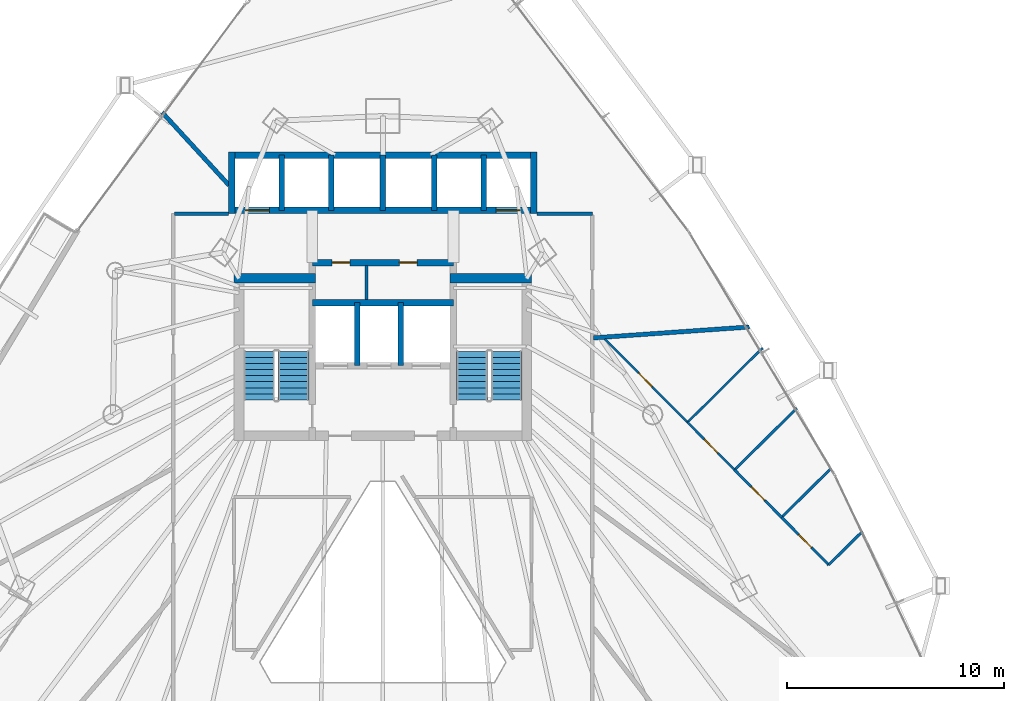
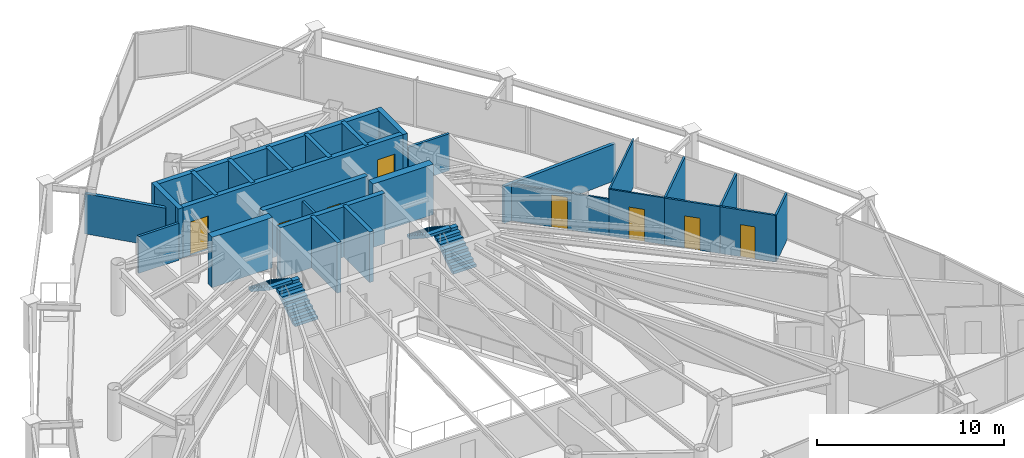
# One storey, part 31 of 35: 28 walls, 8 doors, 4 stair flights, 8 openings, 2 elements without a shape of their own.
"""IFC4 building model written with IfcOpenShell, lengths in metres."""

from ifc_helpers import new_model, si_unit, direction, frame, frame_2d, origin, place, context, subcontext, project, spatial, polyline, rectangle, outline, extrude, material, layer, layer_set, type_object, element, fill, aggregate, save


model = new_model("IFC4")

# Units and contexts
model_context = context("Model", 3, precision=1e-05, world=origin(), true_north=direction((0.0, 1.0)))
body_context = subcontext(model_context, "Body", "Model", "MODEL_VIEW")
ifc_project = project(units=[si_unit("LENGTHUNIT", "METRE"), si_unit("AREAUNIT", "SQUARE_METRE"), si_unit("VOLUMEUNIT", "CUBIC_METRE"), si_unit("PLANEANGLEUNIT", "RADIAN"), si_unit("MASSUNIT", "GRAM", prefix="KILO")], contexts=[model_context])

# Site, building, storey
site_placement = place(None, origin())
site = spatial("IfcSite", under=ifc_project, at=site_placement, CompositionType="ELEMENT")
building_placement = place(site_placement, origin())
building = spatial("IfcBuilding", under=site, at=building_placement, Name="Orvanel Arch Residences", CompositionType="ELEMENT")
storey_placement = place(building_placement, frame((0.0, 0.0, 30.199951171875)))
storey = spatial("IfcBuildingStorey", under=building, at=storey_placement, Name="L07", CompositionType="ELEMENT", Elevation=30.199951171875)

# Walls
ifc_material_1 = material(Name="Concrete N50 (50 MPa)", Category="concrete")
ifc_layer_1 = layer(ifc_material_1, 0.25)
ifc_layer_set_1 = layer_set([ifc_layer_1], Name="Concrete N50 (50 MPa)")
wall_type_1 = type_object("IfcWallType", Name="SW-CORE-250", PredefinedType="SHEAR", material=ifc_layer_set_1)
for number, where, z_axis, x_axis, name in (
    (1, (31.824951171875, 29.89990234375, 0.0), (0.0, 0.0, 1.0), (0.0, 1.0, 0.0), "L07 Emergency Lift Inter-Shaft Wall F12"),
    (2, (33.824951171875, 29.89990234375, 0.0), (0.0, 0.0, 1.0), (0.0, 1.0, 0.0), "L07 Emergency Lift Inter-Shaft Wall F2G"),
):
    element("IfcWall", number, at=place(storey_placement, frame(where, z_axis=z_axis, x_axis=x_axis)), inside=storey, type_object=wall_type_1, Name=name, PredefinedType="SHEAR", context=body_context, shape_type="SweptSolid", body=[
        extrude(rectangle(XDim=2.900146484375, YDim=0.25, at=frame_2d((1.4501953125, 0.0))), origin(), (0.0, 0.0, 1.0), 3.300048828125),
    ])
for number, where, z_axis, x_axis, name in (
    (3, (28.35009765625, 37.050048828125, 0.0), (0.0, 0.0, 1.0), (0.0, 1.0, 0.0), "L07 Passenger Lift Inter-Shaft Wall P13"),
    (4, (30.625, 37.050048828125, 0.0), (0.0, 0.0, 1.0), (0.0, 1.0, 0.0), "L07 Passenger Lift Inter-Shaft Wall P35"),
    (5, (33.0, 37.050048828125, 0.0), (0.0, 0.0, 1.0), (0.0, 1.0, 0.0), "L07 Passenger Lift Inter-Shaft Wall P56"),
    (6, (35.375, 37.050048828125, 0.0), (0.0, 0.0, 1.0), (0.0, 1.0, 0.0), "L07 Passenger Lift Inter-Shaft Wall P64"),
    (7, (37.64990234375, 37.050048828125, 0.0), (0.0, 0.0, 1.0), (0.0, 1.0, 0.0), "L07 Passenger Lift Inter-Shaft Wall P42"),
):
    element("IfcWall", number, at=place(storey_placement, frame(where, z_axis=z_axis, x_axis=x_axis)), inside=storey, type_object=wall_type_1, Name=name, PredefinedType="SHEAR", context=body_context, shape_type="SweptSolid", body=[
        extrude(rectangle(XDim=2.550048828125, YDim=0.25, at=frame_2d((1.27490234375, 0.0))), origin(), (0.0, 0.0, 1.0), 3.300048828125),
    ])
ifc_material_2 = material(Name="Concrete S80 (80 MPa)", Category="concrete")
ifc_layer_2 = layer(ifc_material_2, 0.300048828125)
ifc_layer_set_2 = layer_set([ifc_layer_2], Name="Concrete S80 (80 MPa)")
wall_type_2 = type_object("IfcWallType", Name="SW-CORE-300", PredefinedType="SHEAR", material=ifc_layer_set_2)
wall_1_placement = place(storey_placement, frame((29.75, 32.800048828125, 0.0), z_axis=(0.0, 0.0, 1.0), x_axis=(1.0, 0.0, 0.0)))
element("IfcWall", 8, at=wall_1_placement, inside=storey, type_object=wall_type_2, Name="L07 Emergency Lift Back Core Shear Wall", PredefinedType="SHEAR", context=body_context, shape_type="SweptSolid", body=[
    extrude(rectangle(XDim=6.5, YDim=0.300048828125, at=frame_2d((3.25, 0.0))), origin(), (0.0, 0.0, 1.0), 3.300048828125),
])

# Wall, openings, doors
wall_2_placement = place(storey_placement, frame((29.75, 34.64990234375, 0.0), z_axis=(0.0, 0.0, 1.0), x_axis=(1.0, 0.0, 0.0)))
wall_2 = element("IfcWall", 9, at=wall_2_placement, inside=storey, type_object=wall_type_2, Name="L07 Core Service Band North Shear Wall", PredefinedType="SHEAR", context=body_context, shape_type="SweptSolid", body=[
    extrude(rectangle(XDim=6.5, YDim=0.300048828125, at=frame_2d((3.25, 0.0))), origin(), (0.0, 0.0, 1.0), 3.300048828125),
])
opening_1_placement = place(wall_2_placement, frame((0.9150390625, 0.0, 0.0)))
opening_1 = element("IfcOpeningElement", 10, at=opening_1_placement, cuts=wall_2, Name="Opening DS-082", PredefinedType="OPENING", context=body_context, shape_type="SweptSolid", body=[
    extrude(rectangle(XDim=0.820068359375, YDim=2.10009765625, at=frame_2d((0.41015625, 1.050048828125))), frame((0.0, 0.159912109375, 0.0), z_axis=(0.0, -1.0, 0.0), x_axis=(1.0, 0.0, 0.0)), (0.0, 0.0, 1.0), 0.320068359375),
])
opening_2_placement = place(wall_2_placement, frame((4.014892578125, 0.0, 0.0)))
opening_2 = element("IfcOpeningElement", 11, at=opening_2_placement, cuts=wall_2, Name="Opening DW-082", PredefinedType="OPENING", context=body_context, shape_type="SweptSolid", body=[
    extrude(rectangle(XDim=0.820068359375, YDim=2.10009765625, at=frame_2d((0.41015625, 1.050048828125))), frame((0.0, 0.159912109375, 0.0), z_axis=(0.0, -1.0, 0.0), x_axis=(1.0, 0.0, 0.0)), (0.0, 0.0, 1.0), 0.320068359375),
])
ifc_material_3 = material(Name="Galvanised steel fire-resisting door assembly", Category="steel")
door_type_1 = type_object("IfcDoorType", Name="DR-SVC-820", OperationType="NOTDEFINED", PredefinedType="DOOR", material=ifc_material_3)
door_1_placement = place(opening_1_placement, origin())
door_1 = element("IfcDoor", 12, at=door_1_placement, inside=storey, type_object=door_type_1, Name="DR-L07-CSVC-1 L07 Floor Cleaner's Store Door", OperationType="SINGLE_SWING_LEFT", OverallHeight=2.10009765625, OverallWidth=0.820068359375, PredefinedType="DOOR", context=body_context, shape_type="SweptSolid", body=[
    extrude(rectangle(XDim=0.820068359375, YDim=2.10009765625, at=frame_2d((0.41015625, 1.050048828125))), frame((0.0, 0.02490234375, 0.0), z_axis=(0.0, -1.0, 0.0), x_axis=(1.0, 0.0, 0.0)), (0.0, 0.0, 1.0), 0.050048828125),
])
fill(opening_1, door_1)
ifc_material_4 = material(Name="Solid-core European oak veneer fire door leaf", Category="wood")
door_type_2 = type_object("IfcDoorType", Name="DR-WET-820", OperationType="NOTDEFINED", PredefinedType="DOOR", material=ifc_material_4)
door_2_placement = place(opening_2_placement, origin())
door_2 = element("IfcDoor", 13, at=door_2_placement, inside=storey, type_object=door_type_2, Name="DR-L07-CSVC-2 L07 Core Accessible WC Door", OperationType="SINGLE_SWING_LEFT", OverallHeight=2.10009765625, OverallWidth=0.820068359375, PredefinedType="DOOR", context=body_context, shape_type="SweptSolid", body=[
    extrude(rectangle(XDim=0.820068359375, YDim=2.10009765625, at=frame_2d((0.41015625, 1.050048828125))), frame((0.0, 0.02490234375, 0.0), z_axis=(0.0, -1.0, 0.0), x_axis=(1.0, 0.0, 0.0)), (0.0, 0.0, 1.0), 0.050048828125),
])
fill(opening_2, door_2)

wall_3_placement = place(storey_placement, frame((40.10009765625, 37.050048828125, 0.0), z_axis=(0.0, 0.0, 1.0), x_axis=(-1.0, 0.0, 0.0)))
wall_3 = element("IfcWall", 14, at=wall_3_placement, inside=storey, type_object=wall_type_2, Name="L07 Passenger Lift Bank Front Shear Wall", PredefinedType="SHEAR", context=body_context, shape_type="SweptSolid", body=[
    extrude(rectangle(XDim=14.2001953125, YDim=0.300048828125, at=frame_2d((7.10009765625, 0.0))), origin(), (0.0, 0.0, 1.0), 3.300048828125),
])
opening_3_placement = place(wall_3_placement, frame((12.324951171875, 0.0, 0.0)))
opening_3 = element("IfcOpeningElement", 15, at=opening_3_placement, cuts=wall_3, Name="Opening LD-110", PredefinedType="OPENING", context=body_context, shape_type="SweptSolid", body=[
    extrude(rectangle(XDim=1.10009765625, YDim=2.199951171875, at=frame_2d((0.550048828125, 1.10009765625))), frame((0.0, 0.159912109375, 0.0), z_axis=(0.0, -1.0, 0.0), x_axis=(1.0, 0.0, 0.0)), (0.0, 0.0, 1.0), 0.320068359375),
])
opening_4_placement = place(wall_3_placement, frame((0.77490234375, 0.0, 0.0)))
opening_4 = element("IfcOpeningElement", 16, at=opening_4_placement, cuts=wall_3, Name="Opening LD-110", PredefinedType="OPENING", context=body_context, shape_type="SweptSolid", body=[
    extrude(rectangle(XDim=1.10009765625, YDim=2.199951171875, at=frame_2d((0.550048828125, 1.10009765625))), frame((0.0, 0.159912109375, 0.0), z_axis=(0.0, -1.0, 0.0), x_axis=(1.0, 0.0, 0.0)), (0.0, 0.0, 1.0), 0.320068359375),
])
door_type_3 = type_object("IfcDoorType", Name="DR-LFT-1100", OperationType="NOTDEFINED", PredefinedType="DOOR", material=ifc_material_3)
door_3_placement = place(opening_3_placement, origin())
door_3 = element("IfcDoor", 17, at=door_3_placement, inside=storey, type_object=door_type_3, Name="LD-P1-L07 L07 Passenger Lift P1 Sliding Landing Door", OperationType="DOUBLE_DOOR_SLIDING", OverallHeight=2.199951171875, OverallWidth=1.10009765625, PredefinedType="DOOR", context=body_context, shape_type="SweptSolid", body=[
    extrude(rectangle(XDim=1.10009765625, YDim=2.199951171875, at=frame_2d((0.550048828125, 1.10009765625))), frame((0.0, 0.02490234375, 0.0), z_axis=(0.0, -1.0, 0.0), x_axis=(1.0, 0.0, 0.0)), (0.0, 0.0, 1.0), 0.050048828125),
])
fill(opening_3, door_3)
door_4_placement = place(opening_4_placement, origin())
door_4 = element("IfcDoor", 18, at=door_4_placement, inside=storey, type_object=door_type_3, Name="LD-P2-L07 L07 Passenger Lift P2 Sliding Landing Door", OperationType="DOUBLE_DOOR_SLIDING", OverallHeight=2.199951171875, OverallWidth=1.10009765625, PredefinedType="DOOR", context=body_context, shape_type="SweptSolid", body=[
    extrude(rectangle(XDim=1.10009765625, YDim=2.199951171875, at=frame_2d((0.550048828125, 1.10009765625))), frame((0.0, 0.02490234375, 0.0), z_axis=(0.0, -1.0, 0.0), x_axis=(1.0, 0.0, 0.0)), (0.0, 0.0, 1.0), 0.050048828125),
])
fill(opening_4, door_4)

# Walls
wall_4_placement = place(storey_placement, frame((25.89990234375, 39.60009765625, 0.0), z_axis=(0.0, 0.0, 1.0), x_axis=(1.0, 0.0, 0.0)))
element("IfcWall", 19, at=wall_4_placement, inside=storey, type_object=wall_type_2, Name="L07 Passenger Lift Bank North Shear Wall", PredefinedType="SHEAR", context=body_context, shape_type="SweptSolid", body=[
    extrude(rectangle(XDim=14.2001953125, YDim=0.300048828125, at=frame_2d((7.10009765625, 0.0))), origin(), (0.0, 0.0, 1.0), 3.300048828125),
])
for number, where, z_axis, x_axis, name in (
    (20, (26.050048828125, 36.89990234375, 0.0), (0.0, 0.0, 1.0), (0.0, 1.0, 0.0), "L07 Passenger Lift Bank West Shear Wall"),
    (21, (39.949951171875, 36.89990234375, 0.0), (0.0, 0.0, 1.0), (0.0, 1.0, 0.0), "L07 Passenger Lift Bank East Shear Wall"),
):
    element("IfcWall", number, at=place(storey_placement, frame(where, z_axis=z_axis, x_axis=x_axis)), inside=storey, type_object=wall_type_2, Name=name, PredefinedType="SHEAR", context=body_context, shape_type="SweptSolid", body=[
        extrude(rectangle(XDim=2.85009765625, YDim=0.300048828125, at=frame_2d((1.425048828125, 0.0))), origin(), (0.0, 0.0, 1.0), 3.300048828125),
    ])
ifc_layer_3 = layer(ifc_material_2, 0.449951171875)
ifc_layer_set_3 = layer_set([ifc_layer_3], Name="Concrete S80 (80 MPa)")
wall_type_3 = type_object("IfcWallType", Name="SW-CORE-450", PredefinedType="SHEAR", material=ifc_layer_set_3)
for number, where, z_axis, x_axis, name in (
    (22, (26.14990234375, 33.925048828125, 0.0), (0.0, 0.0, 1.0), (1.0, 0.0, 0.0), "L07 West Stair North Shear Wall"),
    (23, (36.10009765625, 33.925048828125, 0.0), (0.0, 0.0, 1.0), (1.0, 0.0, 0.0), "L07 East Stair North Shear Wall"),
):
    element("IfcWall", number, at=place(storey_placement, frame(where, z_axis=z_axis, x_axis=x_axis)), inside=storey, type_object=wall_type_3, Name=name, PredefinedType="SHEAR", context=body_context, shape_type="SweptSolid", body=[
        extrude(rectangle(XDim=3.75, YDim=0.449951171875, at=frame_2d((1.875, 0.0))), origin(), (0.0, 0.0, 1.0), 3.300048828125),
    ])
ifc_material_5 = material(Name="Fire-rated plasterboard lined steel stud partition", Category="steel")
ifc_layer_4 = layer(ifc_material_5, 0.14990234375)
ifc_layer_set_4 = layer_set([ifc_layer_4], Name="Fire-rated plasterboard lined steel stud partition")
wall_type_4 = type_object("IfcWallType", Name="W-COR-150", PredefinedType="PARTITIONING", material=ifc_layer_set_4)
wall_5_placement = place(storey_placement, frame((40.10009765625, 36.89990234375, 0.0), z_axis=(0.0, 0.0, 1.0), x_axis=(1.0, 0.0, 0.0)))
element("IfcWall", 24, at=wall_5_placement, inside=storey, type_object=wall_type_4, Name="L07 Corridor Fire-Rated Partition", PredefinedType="PARTITIONING", context=body_context, shape_type="SweptSolid", body=[
    extrude(rectangle(XDim=2.5498046875, YDim=0.14990234375, at=frame_2d((1.27490234375, 0.0))), origin(), (0.0, 0.0, 1.0), 2.4130859375),
])
wall_6_placement = place(storey_placement, frame((23.409912109375, 36.89990234375, 0.0), z_axis=(0.0, 0.0, 1.0), x_axis=(1.0, 0.0, 0.0)))
element("IfcWall", 25, at=wall_6_placement, inside=storey, type_object=wall_type_4, Name="L07 Corridor Fire-Rated Partition", PredefinedType="PARTITIONING", context=body_context, shape_type="SweptSolid", body=[
    extrude(rectangle(XDim=2.489990234375, YDim=0.14990234375, at=frame_2d((1.2451171875, 0.0))), origin(), (0.0, 0.0, 1.0), 2.4130859375),
])
ifc_layer_5 = layer(ifc_material_5, 0.199951171875)
ifc_layer_set_5 = layer_set([ifc_layer_5], Name="Fire-rated plasterboard lined steel stud partition")
wall_type_5 = type_object("IfcWallType", Name="W-DEM-200", PredefinedType="PARTITIONING", material=ifc_layer_set_5)
wall_7_placement = place(storey_placement, frame((49.881103515625, 31.679931640625, 0.0), z_axis=(0.0, 0.0, 1.0), x_axis=(-0.997568680722, -0.069690223431, 0.0)))
element("IfcWall", 26, at=wall_7_placement, inside=storey, type_object=wall_type_5, Name="L07 Inter-Tenancy Acoustic Demising Wall", PredefinedType="PARTITIONING", context=body_context, shape_type="SweptSolid", body=[
    extrude(rectangle(XDim=7.188720703125, YDim=0.199951171875, at=frame_2d((3.59423828125, 0.0))), origin(), (0.0, 0.0, 1.0), 2.4130859375),
])
wall_8_placement = place(storey_placement, frame((25.9150390625, 38.212890625, 0.0), z_axis=(0.0, 0.0, 1.0), x_axis=(-0.676584398078, 0.736365094418, 0.0)))
element("IfcWall", 27, at=wall_8_placement, inside=storey, type_object=wall_type_5, Name="L07 Inter-Tenancy Acoustic Demising Wall", PredefinedType="PARTITIONING", context=body_context, shape_type="SweptSolid", body=[
    extrude(rectangle(XDim=4.549560546875, YDim=0.199951171875, at=frame_2d((2.27490234375, 0.0))), origin(), (0.0, 0.0, 1.0), 2.619140625),
])

# Wall, opening, door
ifc_material_6 = material(Name="Acoustic plasterboard lined twin-stud partition", Category="gypsum")
ifc_layer_6 = layer(ifc_material_6, 0.10009765625)
ifc_layer_set_6 = layer_set([ifc_layer_6], Name="Acoustic plasterboard lined twin-stud partition")
wall_type_6 = type_object("IfcWallType", Name="W-INT-100", PredefinedType="PARTITIONING", material=ifc_layer_set_6)
wall_9_placement = place(storey_placement, frame((47.034912109375, 27.285888671875, 0.0), z_axis=(0.0, 0.0, 1.0), x_axis=(0.703849557614, -0.710349069294, 0.0)))
wall_9 = element("IfcWall", 28, at=wall_9_placement, inside=storey, type_object=wall_type_6, Name="L07 Flat F Internal Partition", PredefinedType="PARTITIONING", context=body_context, shape_type="SweptSolid", body=[
    extrude(rectangle(XDim=3.080078125, YDim=0.10009765625, at=frame_2d((1.5400390625, 0.0))), origin(), (0.0, 0.0, 1.0), 3.06005859375),
])
opening_5_placement = place(wall_9_placement, frame((1.10009765625, 0.0, 0.0)))
opening_5 = element("IfcOpeningElement", 29, at=opening_5_placement, cuts=wall_9, Name="Opening DI-088", PredefinedType="OPENING", context=body_context, shape_type="SweptSolid", body=[
    extrude(rectangle(XDim=0.8798828125, YDim=2.10009765625, at=frame_2d((0.43994140625, 1.050048828125))), frame((0.0, 0.06005859375, 0.0), z_axis=(0.0, -1.0, 0.0), x_axis=(1.0, 0.0, 0.0)), (0.0, 0.0, 1.0), 0.1201171875),
])
door_type_4 = type_object("IfcDoorType", Name="DR-INT-880", OperationType="NOTDEFINED", PredefinedType="DOOR", material=ifc_material_4)
door_5_placement = place(opening_5_placement, origin())
door_5 = element("IfcDoor", 30, at=door_5_placement, inside=storey, type_object=door_type_4, Name="DR-L07-F-BED1 L07 Flat F Bedroom 1 Door", OperationType="SINGLE_SWING_LEFT", OverallHeight=2.10009765625, OverallWidth=0.8798828125, PredefinedType="DOOR", context=body_context, shape_type="SweptSolid", body=[
    extrude(rectangle(XDim=0.8798828125, YDim=2.10009765625, at=frame_2d((0.43994140625, 1.050048828125))), frame((0.0, 0.02490234375, 0.0), z_axis=(0.0, -1.0, 0.0), x_axis=(1.0, 0.0, 0.0)), (0.0, 0.0, 1.0), 0.050048828125),
])
fill(opening_5, door_5)

wall_10_placement = place(storey_placement, frame((43.22509765625, 31.1298828125, 0.0), z_axis=(0.0, 0.0, 1.0), x_axis=(0.703942028385, -0.710257432677, 0.0)))
wall_10 = element("IfcWall", 31, at=wall_10_placement, inside=storey, type_object=wall_type_6, Name="L07 Flat F Internal Partition", PredefinedType="PARTITIONING", context=body_context, shape_type="SweptSolid", body=[
    extrude(rectangle(XDim=5.412109375, YDim=0.10009765625, at=frame_2d((2.7060546875, 0.0))), origin(), (0.0, 0.0, 1.0), 2.4130859375),
])
opening_6_placement = place(wall_10_placement, frame((2.216064453125, 0.0, 0.0)))
opening_6 = element("IfcOpeningElement", 32, at=opening_6_placement, cuts=wall_10, Name="Opening DI-088", PredefinedType="OPENING", context=body_context, shape_type="SweptSolid", body=[
    extrude(rectangle(XDim=0.8798828125, YDim=2.10009765625, at=frame_2d((0.43994140625, 1.050048828125))), frame((0.0, 0.06005859375, 0.0), z_axis=(0.0, -1.0, 0.0), x_axis=(1.0, 0.0, 0.0)), (0.0, 0.0, 1.0), 0.1201171875),
])
door_6_placement = place(opening_6_placement, origin())
door_6 = element("IfcDoor", 33, at=door_6_placement, inside=storey, type_object=door_type_4, Name="DR-L07-F-DIN2 L07 Flat F Dining Room 2 Door", OperationType="SINGLE_SWING_LEFT", OverallHeight=2.10009765625, OverallWidth=0.8798828125, PredefinedType="DOOR", context=body_context, shape_type="SweptSolid", body=[
    extrude(rectangle(XDim=0.8798828125, YDim=2.10009765625, at=frame_2d((0.43994140625, 1.050048828125))), frame((0.0, 0.02490234375, 0.0), z_axis=(0.0, -1.0, 0.0), x_axis=(1.0, 0.0, 0.0)), (0.0, 0.0, 1.0), 0.050048828125),
])
fill(opening_6, door_6)

# Walls
wall_11_placement = place(storey_placement, frame((47.034912109375, 27.285888671875, 0.0), z_axis=(0.0, 0.0, 1.0), x_axis=(0.71028193183, 0.703917308578, 0.0)))
element("IfcWall", 34, at=wall_11_placement, inside=storey, type_object=wall_type_6, Name="L07 Flat F Internal Partition", PredefinedType="PARTITIONING", context=body_context, shape_type="SweptSolid", body=[
    extrude(rectangle(XDim=4.87158203125, YDim=0.10009765625, at=frame_2d((2.435791015625, 0.0))), origin(), (0.0, 0.0, 1.0), 3.06005859375),
])
ifc_layer_7 = layer(ifc_material_5, 0.14990234375)
ifc_layer_set_7 = layer_set([ifc_layer_7], Name="Fire-rated plasterboard lined steel stud partition")
wall_type_7 = type_object("IfcWallType", Name="W-ST-150", PredefinedType="PARTITIONING", material=ifc_layer_set_7)
wall_12_placement = place(storey_placement, frame((32.25, 32.93505859375, 0.0), z_axis=(0.0, 0.0, 1.0), x_axis=(0.0, 1.0, 0.0)))
element("IfcWall", 35, at=wall_12_placement, inside=storey, type_object=wall_type_7, Name="L07 Core Service Partition 1", PredefinedType="PARTITIONING", context=body_context, shape_type="SweptSolid", body=[
    extrude(rectangle(XDim=1.579833984375, YDim=0.14990234375, at=frame_2d((0.7900390625, 0.0))), origin(), (0.0, 0.0, 1.0), 3.06005859375),
])

# Wall, opening, door
ifc_layer_8 = layer(ifc_material_6, 0.1201171875)
ifc_layer_set_8 = layer_set([ifc_layer_8], Name="Acoustic plasterboard lined twin-stud partition")
wall_type_8 = type_object("IfcWallType", Name="W-WET-120", PredefinedType="PARTITIONING", material=ifc_layer_set_8)
wall_13_placement = place(storey_placement, frame((51.37109375, 22.910888671875, 0.0), z_axis=(0.0, 0.0, 1.0), x_axis=(0.703849557614, -0.710349069294, 0.0)))
wall_13 = element("IfcWall", 36, at=wall_13_placement, inside=storey, type_object=wall_type_8, Name="L07 Flat F Bathroom Partition", PredefinedType="PARTITIONING", context=body_context, shape_type="SweptSolid", body=[
    extrude(rectangle(XDim=3.080078125, YDim=0.1201171875, at=frame_2d((1.5400390625, 0.0))), origin(), (0.0, 0.0, 1.0), 3.06005859375),
])
opening_7_placement = place(wall_13_placement, frame((1.1298828125, 0.0, 0.0)))
opening_7 = element("IfcOpeningElement", 37, at=opening_7_placement, cuts=wall_13, Name="Opening DW-082", PredefinedType="OPENING", context=body_context, shape_type="SweptSolid", body=[
    extrude(rectangle(XDim=0.820068359375, YDim=2.10009765625, at=frame_2d((0.41015625, 1.050048828125))), frame((0.0, 0.070068359375, 0.0), z_axis=(0.0, -1.0, 0.0), x_axis=(1.0, 0.0, 0.0)), (0.0, 0.0, 1.0), 0.14013671875),
])
door_7_placement = place(opening_7_placement, origin())
door_7 = element("IfcDoor", 38, at=door_7_placement, inside=storey, type_object=door_type_2, Name="DR-L07-F-BATH L07 Flat F Bathroom Door", OperationType="SINGLE_SWING_RIGHT", OverallHeight=2.10009765625, OverallWidth=0.820068359375, PredefinedType="DOOR", context=body_context, shape_type="SweptSolid", body=[
    extrude(rectangle(XDim=0.820068359375, YDim=2.10009765625, at=frame_2d((0.41015625, 1.050048828125))), frame((0.0, 0.02490234375, 0.0), z_axis=(0.0, -1.0, 0.0), x_axis=(1.0, 0.0, 0.0)), (0.0, 0.0, 1.0), 0.050048828125),
])
fill(opening_7, door_7)

# Wall
wall_14_placement = place(storey_placement, frame((53.5390625, 20.722900390625, 0.0), z_axis=(0.0, 0.0, 1.0), x_axis=(0.710218316827, 0.703981492969, 0.0)))
element("IfcWall", 39, at=wall_14_placement, inside=storey, type_object=wall_type_8, Name="L07 Flat F Bathroom Partition", PredefinedType="PARTITIONING", context=body_context, shape_type="SweptSolid", body=[
    extrude(rectangle(XDim=2.192138671875, YDim=0.1201171875, at=frame_2d((1.09619140625, 0.0))), origin(), (0.0, 0.0, 1.0), 3.06005859375),
])

# Wall, opening, door
wall_15_placement = place(storey_placement, frame((49.202880859375, 25.097900390625, 0.0), z_axis=(0.0, 0.0, 1.0), x_axis=(0.704048077172, -0.710152311149, 0.0)))
wall_15 = element("IfcWall", 40, at=wall_15_placement, inside=storey, type_object=wall_type_8, Name="L07 Flat F Internal Partition", PredefinedType="PARTITIONING", context=body_context, shape_type="SweptSolid", body=[
    extrude(rectangle(XDim=3.07958984375, YDim=0.1201171875, at=frame_2d((1.539794921875, 0.0))), origin(), (0.0, 0.0, 1.0), 3.06005859375),
])
opening_8_placement = place(wall_15_placement, frame((1.10009765625, 0.0, 0.0)))
opening_8 = element("IfcOpeningElement", 41, at=opening_8_placement, cuts=wall_15, Name="Opening DI-088", PredefinedType="OPENING", context=body_context, shape_type="SweptSolid", body=[
    extrude(rectangle(XDim=0.8798828125, YDim=2.10009765625, at=frame_2d((0.43994140625, 1.050048828125))), frame((0.0, 0.070068359375, 0.0), z_axis=(0.0, -1.0, 0.0), x_axis=(1.0, 0.0, 0.0)), (0.0, 0.0, 1.0), 0.14013671875),
])
door_8_placement = place(opening_8_placement, origin())
door_8 = element("IfcDoor", 42, at=door_8_placement, inside=storey, type_object=door_type_4, Name="DR-L07-F-KIT L07 Flat F Kitchen Door", OperationType="SINGLE_SWING_LEFT", OverallHeight=2.10009765625, OverallWidth=0.8798828125, PredefinedType="DOOR", context=body_context, shape_type="SweptSolid", body=[
    extrude(rectangle(XDim=0.8798828125, YDim=2.10009765625, at=frame_2d((0.43994140625, 1.050048828125))), frame((0.0, 0.02490234375, 0.0), z_axis=(0.0, -1.0, 0.0), x_axis=(1.0, 0.0, 0.0)), (0.0, 0.0, 1.0), 0.050048828125),
])
fill(opening_8, door_8)

# Walls
wall_16_placement = place(storey_placement, frame((51.37109375, 22.910888671875, 0.0), z_axis=(0.0, 0.0, 1.0), x_axis=(0.710199123854, 0.704000855452, 0.0)))
element("IfcWall", 43, at=wall_16_placement, inside=storey, type_object=wall_type_8, Name="L07 Flat F Bathroom Partition", PredefinedType="PARTITIONING", context=body_context, shape_type="SweptSolid", body=[
    extrude(rectangle(XDim=3.1904296875, YDim=0.1201171875, at=frame_2d((1.59521484375, 0.0))), origin(), (0.0, 0.0, 1.0), 3.06005859375),
])
wall_17_placement = place(storey_placement, frame((49.202880859375, 25.097900390625, 0.0), z_axis=(0.0, 0.0, 1.0), x_axis=(0.710215428297, 0.703984407078, 0.0)))
element("IfcWall", 44, at=wall_17_placement, inside=storey, type_object=wall_type_8, Name="L07 Flat F Internal Partition", PredefinedType="PARTITIONING", context=body_context, shape_type="SweptSolid", body=[
    extrude(rectangle(XDim=4.03564453125, YDim=0.1201171875, at=frame_2d((2.017822265625, 0.0))), origin(), (0.0, 0.0, 1.0), 3.06005859375),
])

# Stair, stair flights
ifc_material_7 = material(Name="Precast concrete N50 (50 MPa)", Category="concrete")
stair_type = type_object("IfcStairType", Name="STR-DOG-184", PredefinedType="USERDEFINED", material=ifc_material_7)
stair_1_placement = place(storey_placement, origin())
stair_1 = element("IfcStair", 45, at=stair_1_placement, inside=storey, type_object=stair_type, Name="L07 Fire-Isolated Core Exit Stair 1", ObjectType="TWO_RETURN_STAIR", PredefinedType="USERDEFINED")
stair_flight_type_1 = type_object("IfcStairFlightType", Name="SFL-C1-184", PredefinedType="STRAIGHT", material=ifc_material_7)
stair_flight_1_placement = place(storey_placement, frame((28.889892578125, 28.320068359375, 0.0), z_axis=(0.0, 0.0, 1.0), x_axis=(0.0, 1.0, 0.0)))
stair_flight_1 = element("IfcStairFlight", 46, at=stair_flight_1_placement, type_object=stair_flight_type_1, Name="ST-1 flight 1", NumberOfRisers=9, NumberOfTreads=8, PredefinedType="STRAIGHT", RiserHeight=0.183333333, TreadLength=0.28, context=body_context, shape_type="SweptSolid", body=[
    extrude(outline(polyline([(0.0, 0.0), (0.0, 0.183349609375), (0.280029296875, 0.183349609375), (0.280029296875, 0.36669921875), (0.56005859375, 0.36669921875), (0.56005859375, 0.550048828125), (0.840087890625, 0.550048828125), (0.840087890625, 0.7333984375), (1.1201171875, 0.7333984375), (1.1201171875, 0.916748046875), (1.39990234375, 0.916748046875), (1.39990234375, 1.10009765625), (1.679931640625, 1.10009765625), (1.679931640625, 1.283447265625), (1.9599609375, 1.283447265625), (1.9599609375, 1.466552734375), (2.239990234375, 1.466552734375), (2.239990234375, 1.64990234375), (2.239990234375, 1.28759765625), (0.273681640625, 0.0), (0.0, 0.0)])), frame((0.0, 0.7099609375, 0.0), z_axis=(0.0, -1.0, 0.0), x_axis=(1.0, 0.0, 0.0)), (0.0, 0.0, 1.0), 1.419921875),
])
stair_flight_2_placement = place(storey_placement, frame((27.31005859375, 30.56005859375, 1.650146484375), z_axis=(0.0, 0.0, 1.0), x_axis=(0.0, -1.0, 0.0)))
stair_flight_2 = element("IfcStairFlight", 47, at=stair_flight_2_placement, type_object=stair_flight_type_1, Name="ST-1 flight 2", NumberOfRisers=9, NumberOfTreads=8, PredefinedType="STRAIGHT", RiserHeight=0.183333333, TreadLength=0.28, context=body_context, shape_type="SweptSolid", body=[
    extrude(outline(polyline([(0.0, 0.0), (0.0, 0.183349609375), (0.280029296875, 0.183349609375), (0.280029296875, 0.36669921875), (0.56005859375, 0.36669921875), (0.56005859375, 0.550048828125), (0.840087890625, 0.550048828125), (0.840087890625, 0.7333984375), (1.1201171875, 0.7333984375), (1.1201171875, 0.916748046875), (1.39990234375, 0.916748046875), (1.39990234375, 1.10009765625), (1.679931640625, 1.10009765625), (1.679931640625, 1.283447265625), (1.9599609375, 1.283447265625), (1.9599609375, 1.466552734375), (2.239990234375, 1.466552734375), (2.239990234375, 1.64990234375), (2.239990234375, 1.28759765625), (0.273681640625, 0.0), (0.0, 0.0)])), frame((0.0, 0.7099609375, 0.0), z_axis=(0.0, -1.0, 0.0), x_axis=(1.0, 0.0, 0.0)), (0.0, 0.0, 1.0), 1.419921875),
])
aggregate(stair_1, [stair_flight_1, stair_flight_2])

stair_2_placement = place(storey_placement, origin())
stair_2 = element("IfcStair", 48, at=stair_2_placement, inside=storey, type_object=stair_type, Name="L07 Fire-Isolated Core Exit Stair 2", ObjectType="TWO_RETURN_STAIR", PredefinedType="USERDEFINED")
stair_flight_type_2 = type_object("IfcStairFlightType", Name="SFL-C2-184", PredefinedType="STRAIGHT", material=ifc_material_7)
stair_flight_3_placement = place(storey_placement, frame((38.68994140625, 28.320068359375, 0.0), z_axis=(0.0, 0.0, 1.0), x_axis=(0.0, 1.0, 0.0)))
stair_flight_3 = element("IfcStairFlight", 49, at=stair_flight_3_placement, type_object=stair_flight_type_2, Name="ST-2 flight 1", NumberOfRisers=9, NumberOfTreads=8, PredefinedType="STRAIGHT", RiserHeight=0.183333333, TreadLength=0.28, context=body_context, shape_type="SweptSolid", body=[
    extrude(outline(polyline([(0.0, 0.0), (0.0, 0.183349609375), (0.280029296875, 0.183349609375), (0.280029296875, 0.36669921875), (0.56005859375, 0.36669921875), (0.56005859375, 0.550048828125), (0.840087890625, 0.550048828125), (0.840087890625, 0.7333984375), (1.1201171875, 0.7333984375), (1.1201171875, 0.916748046875), (1.39990234375, 0.916748046875), (1.39990234375, 1.10009765625), (1.679931640625, 1.10009765625), (1.679931640625, 1.283447265625), (1.9599609375, 1.283447265625), (1.9599609375, 1.466552734375), (2.239990234375, 1.466552734375), (2.239990234375, 1.64990234375), (2.239990234375, 1.28759765625), (0.273681640625, 0.0), (0.0, 0.0)])), frame((0.0, 0.7099609375, 0.0), z_axis=(0.0, -1.0, 0.0), x_axis=(1.0, 0.0, 0.0)), (0.0, 0.0, 1.0), 1.419921875),
])
stair_flight_4_placement = place(storey_placement, frame((37.110107421875, 30.56005859375, 1.650146484375), z_axis=(0.0, 0.0, 1.0), x_axis=(0.0, -1.0, 0.0)))
stair_flight_4 = element("IfcStairFlight", 50, at=stair_flight_4_placement, type_object=stair_flight_type_2, Name="ST-2 flight 2", NumberOfRisers=9, NumberOfTreads=8, PredefinedType="STRAIGHT", RiserHeight=0.183333333, TreadLength=0.28, context=body_context, shape_type="SweptSolid", body=[
    extrude(outline(polyline([(0.0, 0.0), (0.0, 0.183349609375), (0.280029296875, 0.183349609375), (0.280029296875, 0.36669921875), (0.56005859375, 0.36669921875), (0.56005859375, 0.550048828125), (0.840087890625, 0.550048828125), (0.840087890625, 0.7333984375), (1.1201171875, 0.7333984375), (1.1201171875, 0.916748046875), (1.39990234375, 0.916748046875), (1.39990234375, 1.10009765625), (1.679931640625, 1.10009765625), (1.679931640625, 1.283447265625), (1.9599609375, 1.283447265625), (1.9599609375, 1.466552734375), (2.239990234375, 1.466552734375), (2.239990234375, 1.64990234375), (2.239990234375, 1.28759765625), (0.273681640625, 0.0), (0.0, 0.0)])), frame((0.0, 0.7099609375, 0.0), z_axis=(0.0, -1.0, 0.0), x_axis=(1.0, 0.0, 0.0)), (0.0, 0.0, 1.0), 1.419921875),
])
aggregate(stair_2, [stair_flight_3, stair_flight_4])

save(model, "model.ifc")
